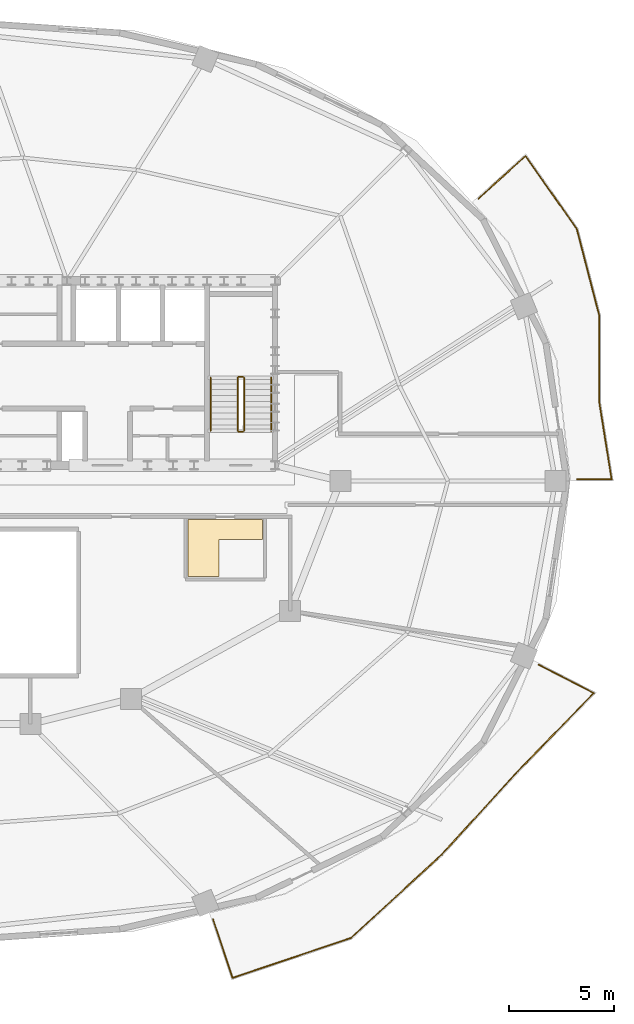
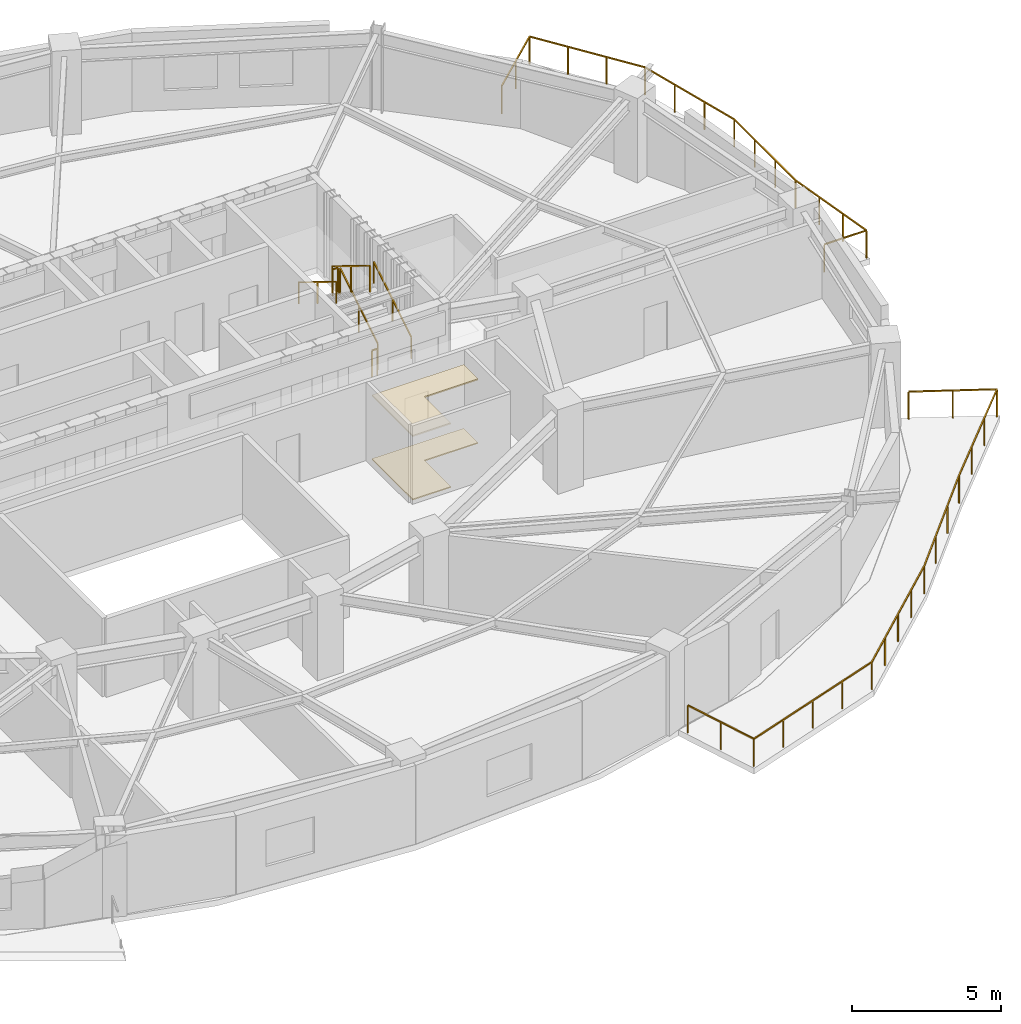
# One storey, part 11 of 11: 8 railings, 2 coverings.
"""IFC4 building model written with IfcOpenShell, lengths in metres."""

from ifc_helpers import new_model, si_unit, direction, frame, origin, origin_2d, place, context, subcontext, project, spatial, polyline, rectangle, outline, extrude, material, layer, layer_set, type_object, element, save


model = new_model("IFC4")

# Units and contexts
model_context = context("Model", 3, precision=1e-05, world=origin(), true_north=direction((0.0, 1.0)))
body_context = subcontext(model_context, "Body", "Model", "MODEL_VIEW")
ifc_project = project(units=[si_unit("LENGTHUNIT", "METRE"), si_unit("AREAUNIT", "SQUARE_METRE"), si_unit("VOLUMEUNIT", "CUBIC_METRE"), si_unit("PLANEANGLEUNIT", "RADIAN"), si_unit("MASSUNIT", "GRAM", prefix="KILO")], contexts=[model_context])

# Site, building, storey
site_placement = place(None, origin())
site = spatial("IfcSite", under=ifc_project, at=site_placement, CompositionType="ELEMENT")
building_placement = place(site_placement, origin())
building = spatial("IfcBuilding", under=site, at=building_placement, Name="Haldorwick Loom Tower", CompositionType="ELEMENT")
storey_placement = place(building_placement, frame((0.0, 0.0, 234.0)))
storey = spatial("IfcBuildingStorey", under=building, at=storey_placement, Name="L63", CompositionType="ELEMENT", Elevation=234.0)

# Coverings
ifc_material_1 = material(Name="Mineral Fibre Acoustic Ceiling Tile")
ifc_layer_1 = layer(ifc_material_1, 0.054931640625, Name="Mineral Fibre Acoustic Ceiling Tile")
ifc_layer_set_1 = layer_set([ifc_layer_1], Name="Mineral Fibre Acoustic Ceiling Tile")
covering_type_1 = type_object("IfcCoveringType", Name="ARC-COV-CEIL2", PredefinedType="CEILING", material=ifc_layer_set_1)
covering_1_placement = place(storey_placement, frame((0.0, 0.0, 2.594970703125)))
element("IfcCovering", 1, at=covering_1_placement, inside=storey, type_object=covering_type_1, Name="L63 Acoustic Suspended Ceiling 2", PredefinedType="CEILING", context=body_context, shape_type="SweptSolid", body=[
    extrude(outline(polyline([(45.929931640625, 24.159912109375), (45.929931640625, 21.429931640625), (47.39990234375, 21.429931640625), (47.39990234375, 23.199951171875), (49.469970703125, 23.199951171875), (49.469970703125, 24.159912109375), (45.929931640625, 24.159912109375)])), origin(), (0.0, 0.0, 1.0), 0.054931640625),
])
ifc_material_2 = material(Name="Polished Aggregate Terrazzo Finish")
ifc_layer_2 = layer(ifc_material_2, 0.044921875, Name="Polished Aggregate Terrazzo Finish")
ifc_layer_set_2 = layer_set([ifc_layer_2], Name="Polished Aggregate Terrazzo Finish")
covering_type_2 = type_object("IfcCoveringType", Name="ARC-COV-FLOOR2", PredefinedType="FLOORING", material=ifc_layer_set_2)
covering_2_placement = place(storey_placement, origin())
element("IfcCovering", 2, at=covering_2_placement, inside=storey, type_object=covering_type_2, Name="L63 Floor Finish 2", PredefinedType="FLOORING", context=body_context, shape_type="SweptSolid", body=[
    extrude(outline(polyline([(45.929931640625, 24.159912109375), (45.929931640625, 21.429931640625), (47.39990234375, 21.429931640625), (47.39990234375, 23.199951171875), (49.469970703125, 23.199951171875), (49.469970703125, 24.159912109375), (45.929931640625, 24.159912109375)])), origin(), (0.0, 0.0, 1.0), 0.044921875),
])

# Railings
ifc_material_3 = material(Name="Galvanized Steel CSA G40.21 350W", Category="steel")
railing_type_1 = type_object("IfcRailingType", Name="ARC-RLG-BAL115", PredefinedType="BALUSTRADE", material=ifc_material_3)
railing_1_placement = place(storey_placement, frame((62.660400390625, 17.23291015625, 0.0)))
element("IfcRailing", 3, at=railing_1_placement, inside=storey, type_object=railing_type_1, Name="L63 Outdoor Terrace Guardrail SLB-L63-BAL_SE-1", PredefinedType="BALUSTRADE", context=body_context, shape_type="SweptSolid", body=[
    extrude(rectangle(XDim=0.048095703125, YDim=0.048095703125, at=origin_2d()), frame((0.0, 0.0, 1.1259765625), z_axis=(0.888616322057, -0.458651318731, 0.0), x_axis=(0.458651318731, 0.888616322057, 0.0)), (0.0, 0.0, 1.0), 2.961669921875),
    extrude(rectangle(XDim=0.048095703125, YDim=0.048095703125, at=origin_2d()), frame((2.6318359375, -1.3583984375, 1.1259765625), z_axis=(-0.696683349737, -0.717378777355, 0.0), x_axis=(0.717378777355, -0.696683349737, 0.0)), (0.0, 0.0, 1.0), 5.190673828125),
    extrude(rectangle(XDim=0.048095703125, YDim=0.048095703125, at=origin_2d()), frame((-0.984375, -5.08203125, 1.1259765625), z_axis=(-0.707106781187, -0.707106781187, 0.0), x_axis=(0.707106781187, -0.707106781187, 0.0)), (0.0, 0.0, 1.0), 0.001953125),
    extrude(rectangle(XDim=0.048095703125, YDim=0.048095703125, at=origin_2d()), frame((-0.98583984375, -5.08349609375, 1.1259765625), z_axis=(-0.67470023799, -0.738091856652, 0.0), x_axis=(0.738091856652, -0.67470023799, 0.0)), (0.0, 0.0, 1.0), 5.3994140625),
    extrude(rectangle(XDim=0.048095703125, YDim=0.048095703125, at=origin_2d()), frame((-4.62890625, -9.06884765625, 1.1259765625), z_axis=(-0.735961683772, -0.677023190164, 0.0), x_axis=(0.677023190164, -0.735961683772, 0.0)), (0.0, 0.0, 1.0), 5.86962890625),
    extrude(rectangle(XDim=0.048095703125, YDim=0.048095703125, at=origin_2d()), frame((-8.94873046875, -13.042724609375, 1.1259765625), z_axis=(-0.947503426745, -0.319745611865, 0.0), x_axis=(0.319745611865, -0.947503426745, 0.0)), (0.0, 0.0, 1.0), 5.9716796875),
    extrude(rectangle(XDim=0.048095703125, YDim=0.048095703125, at=origin_2d()), frame((-14.60693359375, -14.9521484375, 1.1259765625), z_axis=(-0.316699177821, 0.948526030622, 0.0), x_axis=(-0.948526030622, -0.316699177821, 0.0)), (0.0, 0.0, 1.0), 2.95166015625),
    extrude(rectangle(XDim=0.0419921875, YDim=0.0419921875, at=origin_2d()), origin(), (0.0, 0.0, 1.0), 1.101806640625),
    extrude(rectangle(XDim=0.0419921875, YDim=0.0419921875, at=origin_2d()), frame((1.31591796875, -0.67919921875, 0.0)), (0.0, 0.0, 1.0), 1.101806640625),
    extrude(rectangle(XDim=0.0419921875, YDim=0.0419921875, at=origin_2d()), frame((2.6318359375, -1.3583984375, 0.0)), (0.0, 0.0, 1.0), 1.101806640625),
    extrude(rectangle(XDim=0.0419921875, YDim=0.0419921875, at=origin_2d()), frame((1.426513671875, -2.599609375, 0.0)), (0.0, 0.0, 1.0), 1.101806640625),
    extrude(rectangle(XDim=0.0419921875, YDim=0.0419921875, at=origin_2d()), frame((0.220947265625, -3.8408203125, 0.0)), (0.0, 0.0, 1.0), 1.101806640625),
    extrude(rectangle(XDim=0.0419921875, YDim=0.0419921875, at=origin_2d()), frame((-0.984375, -5.08203125, 0.0)), (0.0, 0.0, 1.0), 1.101806640625),
    extrude(rectangle(XDim=0.0419921875, YDim=0.0419921875, at=origin_2d()), frame((-2.2001953125, -6.411865234375, 0.0)), (0.0, 0.0, 1.0), 1.101806640625),
    extrude(rectangle(XDim=0.0419921875, YDim=0.0419921875, at=origin_2d()), frame((-3.41455078125, -7.740478515625, 0.0)), (0.0, 0.0, 1.0), 1.101806640625),
    extrude(rectangle(XDim=0.0419921875, YDim=0.0419921875, at=origin_2d()), frame((-4.62890625, -9.06884765625, 0.0)), (0.0, 0.0, 1.0), 1.101806640625),
    extrude(rectangle(XDim=0.0419921875, YDim=0.0419921875, at=origin_2d()), frame((-5.708984375, -10.062255859375, 0.0)), (0.0, 0.0, 1.0), 1.101806640625),
    extrude(rectangle(XDim=0.0419921875, YDim=0.0419921875, at=origin_2d()), frame((-6.788818359375, -11.0556640625, 0.0)), (0.0, 0.0, 1.0), 1.101806640625),
    extrude(rectangle(XDim=0.0419921875, YDim=0.0419921875, at=origin_2d()), frame((-7.86865234375, -12.04931640625, 0.0)), (0.0, 0.0, 1.0), 1.101806640625),
    extrude(rectangle(XDim=0.0419921875, YDim=0.0419921875, at=origin_2d()), frame((-8.94873046875, -13.042724609375, 0.0)), (0.0, 0.0, 1.0), 1.101806640625),
    extrude(rectangle(XDim=0.0419921875, YDim=0.0419921875, at=origin_2d()), frame((-10.36328125, -13.52001953125, 0.0)), (0.0, 0.0, 1.0), 1.101806640625),
    extrude(rectangle(XDim=0.0419921875, YDim=0.0419921875, at=origin_2d()), frame((-11.77783203125, -13.99755859375, 0.0)), (0.0, 0.0, 1.0), 1.101806640625),
    extrude(rectangle(XDim=0.0419921875, YDim=0.0419921875, at=origin_2d()), frame((-13.1923828125, -14.474853515625, 0.0)), (0.0, 0.0, 1.0), 1.101806640625),
    extrude(rectangle(XDim=0.0419921875, YDim=0.0419921875, at=origin_2d()), frame((-14.60693359375, -14.9521484375, 0.0)), (0.0, 0.0, 1.0), 1.101806640625),
    extrude(rectangle(XDim=0.0419921875, YDim=0.0419921875, at=origin_2d()), frame((-15.07421875, -13.55224609375, 0.0)), (0.0, 0.0, 1.0), 1.101806640625),
    extrude(rectangle(XDim=0.0419921875, YDim=0.0419921875, at=origin_2d()), frame((-15.541748046875, -12.15234375, 0.0)), (0.0, 0.0, 1.0), 1.101806640625),
])
railing_2_placement = place(storey_placement, frame((59.788818359375, 39.480224609375, 0.0)))
element("IfcRailing", 4, at=railing_2_placement, inside=storey, type_object=railing_type_1, Name="L63 Outdoor Terrace Guardrail SLB-L63-BAL_ENE-1", PredefinedType="BALUSTRADE", context=body_context, shape_type="SweptSolid", body=[
    extrude(rectangle(XDim=0.048095703125, YDim=0.048095703125, at=origin_2d()), frame((0.0, 0.0, 1.1259765625), z_axis=(0.74171714135, 0.670712816507, 0.0), x_axis=(-0.670712816507, 0.74171714135, 0.0)), (0.0, 0.0, 1.0), 3.029296875),
    extrude(rectangle(XDim=0.048095703125, YDim=0.048095703125, at=origin_2d()), frame((2.246826171875, 2.03173828125, 1.1259765625), z_axis=(0.574665537873, -0.818388367208, 0.0), x_axis=(0.818388367208, 0.574665537873, 0.0)), (0.0, 0.0, 1.0), 4.26025390625),
    extrude(rectangle(XDim=0.048095703125, YDim=0.048095703125, at=origin_2d()), frame((4.695068359375, -1.454833984375, 1.1259765625), z_axis=(0.251069654053, -0.967969022652, 0.0), x_axis=(0.967969022652, 0.251069654053, 0.0)), (0.0, 0.0, 1.0), 4.256103515625),
    extrude(rectangle(XDim=0.048095703125, YDim=0.048095703125, at=origin_2d()), frame((5.763671875, -5.57470703125, 1.1259765625), z_axis=(-0.00029735354, -0.99999995579, 0.0), x_axis=(0.99999995579, -0.00029735354, 0.0)), (0.0, 0.0, 1.0), 4.105224609375),
    extrude(rectangle(XDim=0.048095703125, YDim=0.048095703125, at=origin_2d()), frame((5.762451171875, -9.679931640625, 1.1259765625), z_axis=(0.038433122101, -0.999261174631, 0.0), x_axis=(0.999261174631, 0.038433122101, 0.0)), (0.0, 0.0, 1.0), 0.00634765625),
    extrude(rectangle(XDim=0.048095703125, YDim=0.048095703125, at=origin_2d()), frame((5.7626953125, -9.686279296875, 1.1259765625), z_axis=(0.114624107985, -0.993408935871, 0.0), x_axis=(0.993408935871, 0.114624107985, 0.0)), (0.0, 0.0, 1.0), 0.00634765625),
    extrude(rectangle(XDim=0.048095703125, YDim=0.048095703125, at=origin_2d()), frame((5.763427734375, -9.692626953125, 1.1259765625), z_axis=(0.157688694755, -0.987488873632, 0.0), x_axis=(0.987488873632, 0.157688694755, 0.0)), (0.0, 0.0, 1.0), 3.75439453125),
    extrude(rectangle(XDim=0.048095703125, YDim=0.048095703125, at=origin_2d()), frame((6.35546875, -13.400146484375, 1.1259765625), z_axis=(-1.0, 0.0, 0.0), x_axis=(0.0, -1.0, 0.0)), (0.0, 0.0, 1.0), 1.634765625),
    extrude(rectangle(XDim=0.0419921875, YDim=0.0419921875, at=origin_2d()), origin(), (0.0, 0.0, 1.0), 1.101806640625),
    extrude(rectangle(XDim=0.0419921875, YDim=0.0419921875, at=origin_2d()), frame((1.12353515625, 1.015869140625, 0.0)), (0.0, 0.0, 1.0), 1.101806640625),
    extrude(rectangle(XDim=0.0419921875, YDim=0.0419921875, at=origin_2d()), frame((2.246826171875, 2.03173828125, 0.0)), (0.0, 0.0, 1.0), 1.101806640625),
    extrude(rectangle(XDim=0.0419921875, YDim=0.0419921875, at=origin_2d()), frame((3.06298828125, 0.86962890625, 0.0)), (0.0, 0.0, 1.0), 1.101806640625),
    extrude(rectangle(XDim=0.0419921875, YDim=0.0419921875, at=origin_2d()), frame((3.87890625, -0.292724609375, 0.0)), (0.0, 0.0, 1.0), 1.101806640625),
    extrude(rectangle(XDim=0.0419921875, YDim=0.0419921875, at=origin_2d()), frame((4.695068359375, -1.454833984375, 0.0)), (0.0, 0.0, 1.0), 1.101806640625),
    extrude(rectangle(XDim=0.0419921875, YDim=0.0419921875, at=origin_2d()), frame((5.05126953125, -2.828125, 0.0)), (0.0, 0.0, 1.0), 1.101806640625),
    extrude(rectangle(XDim=0.0419921875, YDim=0.0419921875, at=origin_2d()), frame((5.407470703125, -4.201416015625, 0.0)), (0.0, 0.0, 1.0), 1.101806640625),
    extrude(rectangle(XDim=0.0419921875, YDim=0.0419921875, at=origin_2d()), frame((5.763671875, -5.57470703125, 0.0)), (0.0, 0.0, 1.0), 1.101806640625),
    extrude(rectangle(XDim=0.0419921875, YDim=0.0419921875, at=origin_2d()), frame((5.76318359375, -6.943115234375, 0.0)), (0.0, 0.0, 1.0), 1.101806640625),
    extrude(rectangle(XDim=0.0419921875, YDim=0.0419921875, at=origin_2d()), frame((5.762939453125, -8.3115234375, 0.0)), (0.0, 0.0, 1.0), 1.101806640625),
    extrude(rectangle(XDim=0.0419921875, YDim=0.0419921875, at=origin_2d()), frame((5.762451171875, -9.679931640625, 0.0)), (0.0, 0.0, 1.0), 1.101806640625),
    extrude(rectangle(XDim=0.0419921875, YDim=0.0419921875, at=origin_2d()), frame((5.960693359375, -10.928466796875, 0.0)), (0.0, 0.0, 1.0), 1.101806640625),
    extrude(rectangle(XDim=0.0419921875, YDim=0.0419921875, at=origin_2d()), frame((6.158203125, -12.164306640625, 0.0)), (0.0, 0.0, 1.0), 1.101806640625),
    extrude(rectangle(XDim=0.0419921875, YDim=0.0419921875, at=origin_2d()), frame((6.35546875, -13.400146484375, 0.0)), (0.0, 0.0, 1.0), 1.101806640625),
    extrude(rectangle(XDim=0.0419921875, YDim=0.0419921875, at=origin_2d()), frame((4.720703125, -13.400146484375, 0.0)), (0.0, 0.0, 1.0), 1.101806640625),
])
ifc_material_4 = material(Name="Steel CSA G40.21 350W", Category="steel")
railing_type_2 = type_object("IfcRailingType", Name="ARC-RLG-GUARD112", PredefinedType="GUARDRAIL", material=ifc_material_4)
railing_3_placement = place(storey_placement, frame((48.60009765625, 28.39990234375, 0.172607421875)))
element("IfcRailing", 5, at=railing_3_placement, inside=storey, type_object=railing_type_2, Name="L63 ST-02 stair guard 1", PredefinedType="GUARDRAIL", context=body_context, shape_type="SweptSolid", body=[
    extrude(rectangle(XDim=0.048095703125, YDim=0.048095703125, at=origin_2d()), frame((0.0, 0.0, 1.076171875), z_axis=(0.0, 0.851400495292, 0.524516154772), x_axis=(-1.0, 0.0, 0.0)), (0.0, 0.0, 1.0), 2.9599609375),
    extrude(rectangle(XDim=0.0419921875, YDim=0.0419921875, at=origin_2d()), origin(), (0.0, 0.0, 1.0), 1.052001953125),
    extrude(rectangle(XDim=0.0419921875, YDim=0.0419921875, at=origin_2d()), frame((0.0, 1.260009765625, 0.7763671875)), (0.0, 0.0, 1.0), 1.052001953125),
    extrude(rectangle(XDim=0.0419921875, YDim=0.0419921875, at=origin_2d()), frame((0.0, 2.52001953125, 1.552490234375)), (0.0, 0.0, 1.0), 1.052001953125),
])
railing_4_placement = place(storey_placement, frame((48.550048828125, 30.969970703125, 1.72509765625)))
element("IfcRailing", 6, at=railing_4_placement, inside=storey, type_object=railing_type_2, Name="L63 ST-02 stair guard 2", PredefinedType="GUARDRAIL", context=body_context, shape_type="SweptSolid", body=[
    extrude(rectangle(XDim=0.048095703125, YDim=0.048095703125, at=origin_2d()), frame((0.0, 0.0, 1.076171875), z_axis=(-1.0, 0.0, 0.0), x_axis=(0.0, -1.0, 0.0)), (0.0, 0.0, 1.0), 0.199951171875),
    extrude(rectangle(XDim=0.0419921875, YDim=0.0419921875, at=origin_2d()), origin(), (0.0, 0.0, 1.0), 1.052001953125),
    extrude(rectangle(XDim=0.0419921875, YDim=0.0419921875, at=origin_2d()), frame((-0.199951171875, 0.0, 0.0)), (0.0, 0.0, 1.0), 1.052001953125),
])
railing_5_placement = place(storey_placement, frame((48.300048828125, 30.919921875, 1.8974609375)))
element("IfcRailing", 7, at=railing_5_placement, inside=storey, type_object=railing_type_2, Name="L63 ST-02 stair guard 3", PredefinedType="GUARDRAIL", context=body_context, shape_type="SweptSolid", body=[
    extrude(rectangle(XDim=0.048095703125, YDim=0.048095703125, at=origin_2d()), frame((0.0, 0.0, 1.076171875), z_axis=(0.0, -0.851400495292, 0.524516154772), x_axis=(1.0, 0.0, 0.0)), (0.0, 0.0, 1.0), 2.9599609375),
    extrude(rectangle(XDim=0.0419921875, YDim=0.0419921875, at=origin_2d()), origin(), (0.0, 0.0, 1.0), 1.052001953125),
    extrude(rectangle(XDim=0.0419921875, YDim=0.0419921875, at=origin_2d()), frame((0.0, -1.260009765625, 0.7763671875)), (0.0, 0.0, 1.0), 1.052001953125),
    extrude(rectangle(XDim=0.0419921875, YDim=0.0419921875, at=origin_2d()), frame((0.0, -2.52001953125, 1.552490234375)), (0.0, 0.0, 1.0), 1.052001953125),
])
railing_6_placement = place(storey_placement, frame((48.550048828125, 28.35009765625, 0.0)))
element("IfcRailing", 8, at=railing_6_placement, inside=storey, type_object=railing_type_2, Name="L63 ST-02 stair guard 4", PredefinedType="GUARDRAIL", context=body_context, shape_type="SweptSolid", body=[
    extrude(rectangle(XDim=0.048095703125, YDim=0.048095703125, at=origin_2d()), frame((0.0, 0.0, 1.076171875), z_axis=(-1.0, 0.0, 0.0), x_axis=(0.0, -1.0, 0.0)), (0.0, 0.0, 1.0), 0.199951171875),
    extrude(rectangle(XDim=0.0419921875, YDim=0.0419921875, at=origin_2d()), origin(), (0.0, 0.0, 1.0), 1.052001953125),
    extrude(rectangle(XDim=0.0419921875, YDim=0.0419921875, at=origin_2d()), frame((-0.199951171875, 0.0, 0.0)), (0.0, 0.0, 1.0), 1.052001953125),
])
railing_type_3 = type_object("IfcRailingType", Name="ARC-RLG-HAND092", PredefinedType="HANDRAIL", material=ifc_material_4)
railing_7_placement = place(storey_placement, frame((49.89990234375, 28.39990234375, 0.172607421875)))
element("IfcRailing", 9, at=railing_7_placement, inside=storey, type_object=railing_type_3, Name="L63 ST-02 stair handrail 1", PredefinedType="HANDRAIL", context=body_context, shape_type="SweptSolid", body=[
    extrude(rectangle(XDim=0.048095703125, YDim=0.048095703125, at=origin_2d()), frame((0.0, 0.0, 0.8759765625), z_axis=(0.0, 0.851400495292, 0.524516154772), x_axis=(-1.0, 0.0, 0.0)), (0.0, 0.0, 1.0), 2.9599609375),
    extrude(rectangle(XDim=0.0419921875, YDim=0.0419921875, at=origin_2d()), origin(), (0.0, 0.0, 1.0), 0.851806640625),
    extrude(rectangle(XDim=0.0419921875, YDim=0.0419921875, at=origin_2d()), frame((0.0, 1.260009765625, 0.7763671875)), (0.0, 0.0, 1.0), 0.851806640625),
    extrude(rectangle(XDim=0.0419921875, YDim=0.0419921875, at=origin_2d()), frame((0.0, 2.52001953125, 1.552490234375)), (0.0, 0.0, 1.0), 0.851806640625),
])
railing_8_placement = place(storey_placement, frame((47.0, 30.919921875, 1.8974609375)))
element("IfcRailing", 10, at=railing_8_placement, inside=storey, type_object=railing_type_3, Name="L63 ST-02 stair handrail 2", PredefinedType="HANDRAIL", context=body_context, shape_type="SweptSolid", body=[
    extrude(rectangle(XDim=0.048095703125, YDim=0.048095703125, at=origin_2d()), frame((0.0, 0.0, 0.8759765625), z_axis=(0.0, -0.851400495292, 0.524516154772), x_axis=(1.0, 0.0, 0.0)), (0.0, 0.0, 1.0), 2.9599609375),
    extrude(rectangle(XDim=0.0419921875, YDim=0.0419921875, at=origin_2d()), origin(), (0.0, 0.0, 1.0), 0.851806640625),
    extrude(rectangle(XDim=0.0419921875, YDim=0.0419921875, at=origin_2d()), frame((0.0, -1.260009765625, 0.7763671875)), (0.0, 0.0, 1.0), 0.851806640625),
    extrude(rectangle(XDim=0.0419921875, YDim=0.0419921875, at=origin_2d()), frame((0.0, -2.52001953125, 1.552490234375)), (0.0, 0.0, 1.0), 0.851806640625),
])

save(model, "model.ifc")
